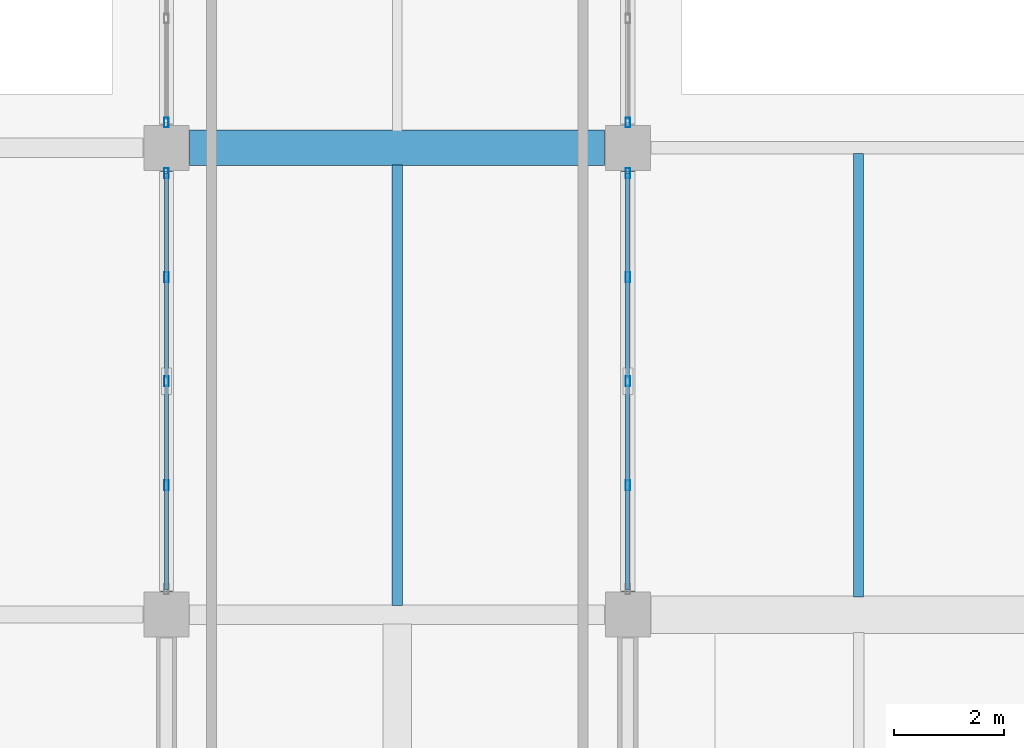
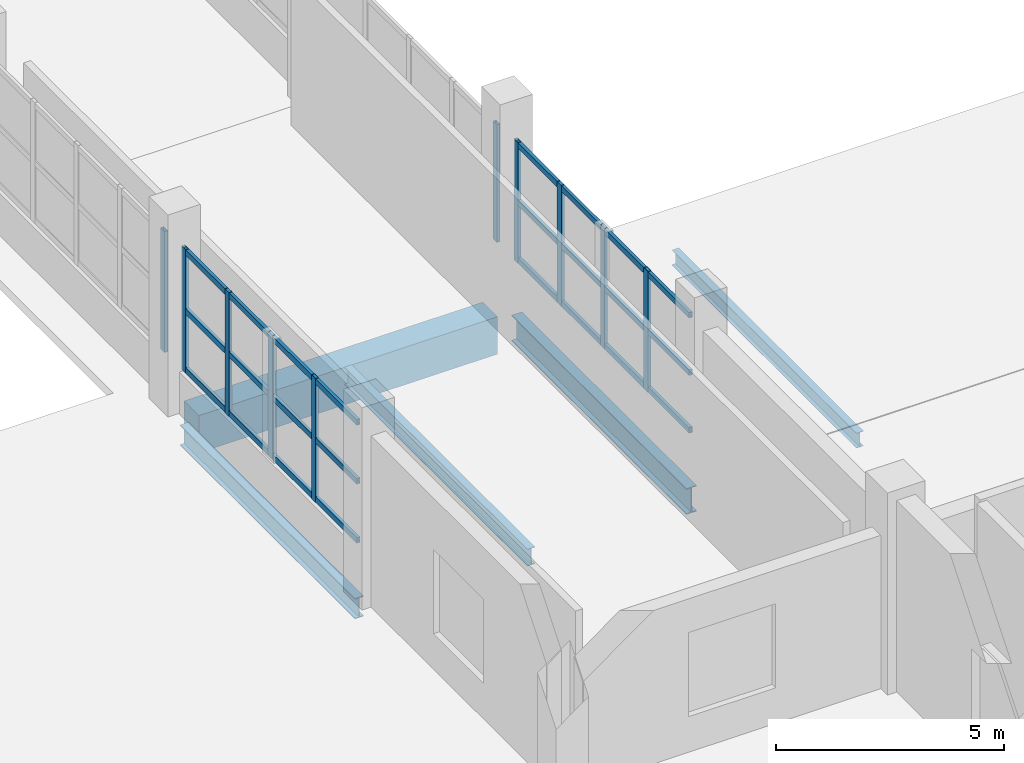
# One storey, part 38 of 107: 16 members, 5 beams, 4 elements without a shape of their own.
"""IFC4 building model written with IfcOpenShell, lengths in metres."""

from ifc_helpers import new_model, si_unit, direction, frame, origin, origin_2d, place, context, subcontext, project, spatial, rectangle, hollow_rectangle, i_section, extrude, material, material_profile, profile_set, type_object, element, aggregate, save


model = new_model("IFC4")

# Units and contexts
model_context = context("Model", 3, precision=1e-05, world=origin(), true_north=direction((0.0, 1.0)))
body_context = subcontext(model_context, "Body", "Model", "MODEL_VIEW")
ifc_project = project(units=[si_unit("LENGTHUNIT", "METRE"), si_unit("AREAUNIT", "SQUARE_METRE"), si_unit("VOLUMEUNIT", "CUBIC_METRE"), si_unit("PLANEANGLEUNIT", "RADIAN"), si_unit("MASSUNIT", "GRAM", prefix="KILO")], contexts=[model_context])

# Site, building, storey
site_placement = place(None, origin())
site = spatial("IfcSite", under=ifc_project, at=site_placement, CompositionType="ELEMENT")
building_placement = place(site_placement, origin())
building = spatial("IfcBuilding", under=site, at=building_placement, Name="Solvento Point Concert Hall", CompositionType="ELEMENT")
storey_placement = place(building_placement, origin())
storey = spatial("IfcBuildingStorey", under=building, at=storey_placement, Name="L00", CompositionType="ELEMENT", Elevation=0.0)

# Beams
ifc_material_1 = material(Name="Structural Steel ASTM A992 Grade 50", Category="steel")
ifc_material_profile_1 = material_profile(ifc_material_1, i_section(OverallWidth=0.214111328125, OverallDepth=0.549072265625, WebThickness=0.0146484375, FlangeThickness=0.023681640625, at=origin_2d()), Name="W21X93")
ifc_profile_set_1 = profile_set([ifc_material_profile_1], Name="Structural Steel ASTM A992 Grade 50")
beam_type_1 = type_object("IfcBeamType", Name="Beam_W21X93", PredefinedType="BEAM", material=ifc_profile_set_1)
beam_1_placement = place(storey_placement, frame((66.0, 102.424072265625, -0.57861328125), z_axis=(0.0, 1.0, 0.0), x_axis=(-1.0, 0.0, 0.0)))
element("IfcBeam", 1, at=beam_1_placement, inside=storey, type_object=beam_type_1, Name="Primary girder B-48 L00", PredefinedType="BEAM", context=body_context, shape_type="SweptSolid", body=[
    extrude(i_section(OverallWidth=0.214111328125, OverallDepth=0.549072265625, WebThickness=0.0146484375, FlangeThickness=0.023681640625, at=origin_2d()), origin(), (0.0, 0.0, 1.0), 7.65185546875),
])
ifc_material_2 = material(Name="Concrete C35/45", Category="concrete")
ifc_material_profile_2 = material_profile(ifc_material_2, rectangle(XDim=0.64990234375, YDim=1.0, at=origin_2d()), Name="RC-BM-650X1000")
ifc_profile_set_2 = profile_set([ifc_material_profile_2], Name="Concrete C35/45")
beam_type_2 = type_object("IfcBeamType", Name="Girder_RC_650x1000", PredefinedType="USERDEFINED", material=ifc_profile_set_2)
beam_2_placement = place(storey_placement, frame((66.424072265625, 110.5, -0.803955078125), z_axis=(1.0, 0.0, 0.0), x_axis=(0.0, 1.0, 0.0)))
element("IfcBeam", 2, at=beam_2_placement, inside=storey, type_object=beam_type_2, Name="Primary girder B-67 L00", ObjectType="GIRDER", PredefinedType="USERDEFINED", context=body_context, shape_type="SweptSolid", body=[
    extrude(rectangle(XDim=0.64990234375, YDim=1.0, at=origin_2d()), origin(), (0.0, 0.0, 1.0), 7.552001953125),
])
ifc_material_3 = material(Name="Structural Steel ASTM A992 Grade 50", Category="steel")
ifc_material_profile_3 = material_profile(ifc_material_3, i_section(OverallWidth=0.256103515625, OverallDepth=0.693115234375, WebThickness=0.014404296875, FlangeThickness=0.023681640625, at=origin_2d()), Name="W27X114")
ifc_profile_set_3 = profile_set([ifc_material_profile_3], Name="Structural Steel ASTM A992 Grade 50")
beam_type_3 = type_object("IfcBeamType", Name="Girder_W27X114", PredefinedType="USERDEFINED", material=ifc_profile_set_3)
beam_3_placement = place(storey_placement, frame((74.39990234375, 102.424072265625, -0.650390625), z_axis=(0.0, 1.0, 0.0), x_axis=(-1.0, 0.0, 0.0)))
element("IfcBeam", 3, at=beam_3_placement, inside=storey, type_object=beam_type_3, Name="Primary girder B-23 L00", ObjectType="GIRDER", PredefinedType="USERDEFINED", context=body_context, shape_type="SweptSolid", body=[
    extrude(i_section(OverallWidth=0.256103515625, OverallDepth=0.693115234375, WebThickness=0.014404296875, FlangeThickness=0.023681640625, at=origin_2d()), origin(), (0.0, 0.0, 1.0), 7.65185546875),
])
ifc_material_4 = material(Name="Structural Steel ASTM A992 Grade 50", Category="steel")
ifc_material_profile_4 = material_profile(ifc_material_4, i_section(OverallWidth=0.177490234375, OverallDepth=0.403076171875, WebThickness=0.007568359375, FlangeThickness=0.010986328125, at=origin_2d()), Name="W16X36")
ifc_profile_set_4 = profile_set([ifc_material_profile_4], Name="Structural Steel ASTM A992 Grade 50")
beam_type_4 = type_object("IfcBeamType", Name="Joist_W16X36", PredefinedType="JOIST", material=ifc_profile_set_4)
beam_4_placement = place(storey_placement, frame((78.60009765625, 102.324951171875, -0.445556640625), z_axis=(0.0, 1.0, 0.0), x_axis=(-1.0, 0.0, 0.0)))
element("IfcBeam", 4, at=beam_4_placement, inside=storey, type_object=beam_type_4, Name="Secondary floor joist B-30 L00", PredefinedType="JOIST", context=body_context, shape_type="SweptSolid", body=[
    extrude(i_section(OverallWidth=0.177490234375, OverallDepth=0.403076171875, WebThickness=0.007568359375, FlangeThickness=0.010986328125, at=origin_2d()), origin(), (0.0, 0.0, 1.0), 8.075927734375),
])
ifc_material_5 = material(Name="Structural Steel ASTM A992 Grade 50", Category="steel")
ifc_material_profile_5 = material_profile(ifc_material_5, i_section(OverallWidth=0.1904296875, OverallDepth=0.45703125, WebThickness=0.009033203125, FlangeThickness=0.014404296875, at=origin_2d()), Name="W18X50")
ifc_profile_set_5 = profile_set([ifc_material_profile_5], Name="Structural Steel ASTM A992 Grade 50")
beam_type_5 = type_object("IfcBeamType", Name="Joist_W18X50", PredefinedType="JOIST", material=ifc_profile_set_5)
beam_5_placement = place(storey_placement, frame((70.199951171875, 102.16552734375, -0.532470703125), z_axis=(0.0, 1.0, 0.0), x_axis=(-1.0, 0.0, 0.0)))
element("IfcBeam", 5, at=beam_5_placement, inside=storey, type_object=beam_type_5, Name="Secondary floor joist B-66 L00", PredefinedType="JOIST", context=body_context, shape_type="SweptSolid", body=[
    extrude(i_section(OverallWidth=0.1904296875, OverallDepth=0.45703125, WebThickness=0.009033203125, FlangeThickness=0.014404296875, at=origin_2d()), origin(), (0.0, 0.0, 1.0), 8.0244140625),
])

# Curtain wall, members
ifc_material_6 = material(Name="Anodized Bronze Aluminium", Category="aluminium")
curtain_wall_type = type_object("IfcCurtainWallType", Name="CurtainWall_CourtPilotis", PredefinedType="USERDEFINED", material=ifc_material_6)
curtain_wall_1_placement = place(storey_placement, origin())
curtain_wall_1 = element("IfcCurtainWall", 6, at=curtain_wall_1_placement, inside=storey, type_object=curtain_wall_type, Name="Unitised curtain wall CW-96 UCW-L00-020", ObjectType="UNITISED CURTAIN WALL", PredefinedType="USERDEFINED")
ifc_material_7 = material(Name="Anodized Bronze Aluminium", Category="aluminium")
ifc_material_profile_6 = material_profile(ifc_material_7, hollow_rectangle(XDim=0.080078125, YDim=0.179931640625, WallThickness=0.00390625, at=origin_2d()), Name="CW-MUL-80X180")
ifc_profile_set_6 = profile_set([ifc_material_profile_6], Name="Anodized Bronze Aluminium")
member_type_1 = type_object("IfcMemberType", Name="Mullion_80x180", PredefinedType="MULLION", material=ifc_profile_set_6)
member_1_placement = place(storey_placement, frame((66.0, 104.35498046875, 1.1201171875), z_axis=(0.0, 0.0, 1.0), x_axis=(1.0, 0.0, 0.0)))
member_1 = element("IfcMember", 7, at=member_1_placement, type_object=member_type_1, Name="Curtain wall mullion ML-01", PredefinedType="MULLION", context=body_context, shape_type="SweptSolid", body=[
    extrude(hollow_rectangle(XDim=0.080078125, YDim=0.179931640625, WallThickness=0.00390625, at=origin_2d()), origin(), (0.0, 0.0, 1.0), 3.310791015625),
])
member_2_placement = place(storey_placement, frame((66.0, 106.25, 1.1201171875), z_axis=(0.0, 0.0, 1.0), x_axis=(1.0, 0.0, 0.0)))
member_2 = element("IfcMember", 8, at=member_2_placement, type_object=member_type_1, Name="Curtain wall mullion ML-01", PredefinedType="MULLION", context=body_context, shape_type="SweptSolid", body=[
    extrude(hollow_rectangle(XDim=0.080078125, YDim=0.179931640625, WallThickness=0.00390625, at=origin_2d()), origin(), (0.0, 0.0, 1.0), 3.310791015625),
])
member_3_placement = place(storey_placement, frame((66.0, 108.14501953125, 1.1201171875), z_axis=(0.0, 0.0, 1.0), x_axis=(1.0, 0.0, 0.0)))
member_3 = element("IfcMember", 9, at=member_3_placement, type_object=member_type_1, Name="Curtain wall mullion ML-01", PredefinedType="MULLION", context=body_context, shape_type="SweptSolid", body=[
    extrude(hollow_rectangle(XDim=0.080078125, YDim=0.179931640625, WallThickness=0.00390625, at=origin_2d()), origin(), (0.0, 0.0, 1.0), 3.310791015625),
])
member_4_placement = place(storey_placement, frame((66.0, 110.0400390625, 1.1201171875), z_axis=(0.0, 0.0, 1.0), x_axis=(1.0, 0.0, 0.0)))
member_4 = element("IfcMember", 10, at=member_4_placement, type_object=member_type_1, Name="Curtain wall mullion ML-01", PredefinedType="MULLION", context=body_context, shape_type="SweptSolid", body=[
    extrude(hollow_rectangle(XDim=0.080078125, YDim=0.179931640625, WallThickness=0.00390625, at=origin_2d()), origin(), (0.0, 0.0, 1.0), 3.310791015625),
])

# Curtain wall, member
curtain_wall_2_placement = place(storey_placement, origin())
curtain_wall_2 = element("IfcCurtainWall", 11, at=curtain_wall_2_placement, inside=storey, type_object=curtain_wall_type, Name="Unitised curtain wall CW-96 UCW-L00-021", ObjectType="UNITISED CURTAIN WALL", PredefinedType="USERDEFINED")
member_5_placement = place(storey_placement, frame((66.0, 110.9599609375, 1.1201171875), z_axis=(0.0, 0.0, 1.0), x_axis=(1.0, 0.0, 0.0)))
member_5 = element("IfcMember", 12, at=member_5_placement, type_object=member_type_1, Name="Curtain wall mullion ML-01", PredefinedType="MULLION", context=body_context, shape_type="SweptSolid", body=[
    extrude(hollow_rectangle(XDim=0.080078125, YDim=0.179931640625, WallThickness=0.00390625, at=origin_2d()), origin(), (0.0, 0.0, 1.0), 3.23388671875),
])
aggregate(curtain_wall_2, [member_5])

# Curtain wall, members
curtain_wall_3_placement = place(storey_placement, origin())
curtain_wall_3 = element("IfcCurtainWall", 13, at=curtain_wall_3_placement, inside=storey, type_object=curtain_wall_type, Name="Unitised curtain wall CW-96 UCW-L00-034", ObjectType="UNITISED CURTAIN WALL", PredefinedType="USERDEFINED")
member_6_placement = place(storey_placement, frame((74.39990234375, 104.35498046875, 1.1201171875), z_axis=(0.0, 0.0, 1.0), x_axis=(1.0, 0.0, 0.0)))
member_6 = element("IfcMember", 14, at=member_6_placement, type_object=member_type_1, Name="Curtain wall mullion ML-01", PredefinedType="MULLION", context=body_context, shape_type="SweptSolid", body=[
    extrude(hollow_rectangle(XDim=0.080078125, YDim=0.179931640625, WallThickness=0.00390625, at=origin_2d()), origin(), (0.0, 0.0, 1.0), 3.23388671875),
])
member_7_placement = place(storey_placement, frame((74.39990234375, 106.25, 1.1201171875), z_axis=(0.0, 0.0, 1.0), x_axis=(1.0, 0.0, 0.0)))
member_7 = element("IfcMember", 15, at=member_7_placement, type_object=member_type_1, Name="Curtain wall mullion ML-01", PredefinedType="MULLION", context=body_context, shape_type="SweptSolid", body=[
    extrude(hollow_rectangle(XDim=0.080078125, YDim=0.179931640625, WallThickness=0.00390625, at=origin_2d()), origin(), (0.0, 0.0, 1.0), 3.23388671875),
])
member_8_placement = place(storey_placement, frame((74.39990234375, 108.14501953125, 1.1201171875), z_axis=(0.0, 0.0, 1.0), x_axis=(1.0, 0.0, 0.0)))
member_8 = element("IfcMember", 16, at=member_8_placement, type_object=member_type_1, Name="Curtain wall mullion ML-01", PredefinedType="MULLION", context=body_context, shape_type="SweptSolid", body=[
    extrude(hollow_rectangle(XDim=0.080078125, YDim=0.179931640625, WallThickness=0.00390625, at=origin_2d()), origin(), (0.0, 0.0, 1.0), 3.23388671875),
])
member_9_placement = place(storey_placement, frame((74.39990234375, 110.0400390625, 1.1201171875), z_axis=(0.0, 0.0, 1.0), x_axis=(1.0, 0.0, 0.0)))
member_9 = element("IfcMember", 17, at=member_9_placement, type_object=member_type_1, Name="Curtain wall mullion ML-01", PredefinedType="MULLION", context=body_context, shape_type="SweptSolid", body=[
    extrude(hollow_rectangle(XDim=0.080078125, YDim=0.179931640625, WallThickness=0.00390625, at=origin_2d()), origin(), (0.0, 0.0, 1.0), 3.23388671875),
])

# Curtain wall, member
curtain_wall_4_placement = place(storey_placement, origin())
curtain_wall_4 = element("IfcCurtainWall", 18, at=curtain_wall_4_placement, inside=storey, type_object=curtain_wall_type, Name="Unitised curtain wall CW-96 UCW-L00-035", ObjectType="UNITISED CURTAIN WALL", PredefinedType="USERDEFINED")
member_10_placement = place(storey_placement, frame((74.39990234375, 110.9599609375, 1.1201171875), z_axis=(0.0, 0.0, 1.0), x_axis=(1.0, 0.0, 0.0)))
member_10 = element("IfcMember", 19, at=member_10_placement, type_object=member_type_1, Name="Curtain wall mullion ML-01", PredefinedType="MULLION", context=body_context, shape_type="SweptSolid", body=[
    extrude(hollow_rectangle(XDim=0.080078125, YDim=0.179931640625, WallThickness=0.00390625, at=origin_2d()), origin(), (0.0, 0.0, 1.0), 3.144775390625),
])
aggregate(curtain_wall_4, [member_10])

# Member
ifc_material_8 = material(Name="Anodized Bronze Aluminium", Category="aluminium")
ifc_material_profile_7 = material_profile(ifc_material_8, hollow_rectangle(XDim=0.080078125, YDim=0.14990234375, WallThickness=0.00390625, at=origin_2d()), Name="CW-TRN-80X150")
ifc_profile_set_7 = profile_set([ifc_material_profile_7], Name="Anodized Bronze Aluminium")
member_type_2 = type_object("IfcMemberType", Name="Transom_80x150", PredefinedType="USERDEFINED", material=ifc_profile_set_7)
member_11_placement = place(storey_placement, frame((66.0, 102.4599609375, 1.199951171875), z_axis=(0.0, 1.0, 0.0), x_axis=(-1.0, 0.0, 0.0)))
member_11 = element("IfcMember", 20, at=member_11_placement, type_object=member_type_2, Name="Curtain wall transom TR-01", ObjectType="TRANSOM", PredefinedType="USERDEFINED", context=body_context, shape_type="SweptSolid", body=[
    extrude(hollow_rectangle(XDim=0.080078125, YDim=0.14990234375, WallThickness=0.00390625, at=origin_2d()), origin(), (0.0, 0.0, 1.0), 7.580078125),
])

member_12_placement = place(storey_placement, frame((66.0, 102.4599609375, 2.775390625), z_axis=(0.0, 1.0, 0.0), x_axis=(-1.0, 0.0, 0.0)))
member_12 = element("IfcMember", 21, at=member_12_placement, type_object=member_type_2, Name="Curtain wall transom TR-01", ObjectType="TRANSOM", PredefinedType="USERDEFINED", context=body_context, shape_type="SweptSolid", body=[
    extrude(hollow_rectangle(XDim=0.080078125, YDim=0.14990234375, WallThickness=0.00390625, at=origin_2d()), origin(), (0.0, 0.0, 1.0), 7.580078125),
])

member_13_placement = place(storey_placement, frame((66.0, 102.4599609375, 4.35107421875), z_axis=(0.0, 1.0, 0.0), x_axis=(-1.0, 0.0, 0.0)))
member_13 = element("IfcMember", 22, at=member_13_placement, type_object=member_type_2, Name="Curtain wall transom TR-01", ObjectType="TRANSOM", PredefinedType="USERDEFINED", context=body_context, shape_type="SweptSolid", body=[
    extrude(hollow_rectangle(XDim=0.080078125, YDim=0.14990234375, WallThickness=0.00390625, at=origin_2d()), origin(), (0.0, 0.0, 1.0), 7.580078125),
])

aggregate(curtain_wall_1, [member_1, member_2, member_3, member_4, member_11, member_12, member_13])

member_14_placement = place(storey_placement, frame((74.39990234375, 102.4599609375, 1.199951171875), z_axis=(0.0, 1.0, 0.0), x_axis=(-1.0, 0.0, 0.0)))
member_14 = element("IfcMember", 23, at=member_14_placement, type_object=member_type_2, Name="Curtain wall transom TR-01", ObjectType="TRANSOM", PredefinedType="USERDEFINED", context=body_context, shape_type="SweptSolid", body=[
    extrude(hollow_rectangle(XDim=0.080078125, YDim=0.14990234375, WallThickness=0.00390625, at=origin_2d()), origin(), (0.0, 0.0, 1.0), 7.580078125),
])

member_15_placement = place(storey_placement, frame((74.39990234375, 102.4599609375, 2.737060546875), z_axis=(0.0, 1.0, 0.0), x_axis=(-1.0, 0.0, 0.0)))
member_15 = element("IfcMember", 24, at=member_15_placement, type_object=member_type_2, Name="Curtain wall transom TR-01", ObjectType="TRANSOM", PredefinedType="USERDEFINED", context=body_context, shape_type="SweptSolid", body=[
    extrude(hollow_rectangle(XDim=0.080078125, YDim=0.14990234375, WallThickness=0.00390625, at=origin_2d()), origin(), (0.0, 0.0, 1.0), 7.580078125),
])

member_16_placement = place(storey_placement, frame((74.39990234375, 102.4599609375, 4.27392578125), z_axis=(0.0, 1.0, 0.0), x_axis=(-1.0, 0.0, 0.0)))
member_16 = element("IfcMember", 25, at=member_16_placement, type_object=member_type_2, Name="Curtain wall transom TR-01", ObjectType="TRANSOM", PredefinedType="USERDEFINED", context=body_context, shape_type="SweptSolid", body=[
    extrude(hollow_rectangle(XDim=0.080078125, YDim=0.14990234375, WallThickness=0.00390625, at=origin_2d()), origin(), (0.0, 0.0, 1.0), 7.580078125),
])

aggregate(curtain_wall_3, [member_6, member_7, member_8, member_9, member_14, member_15, member_16])

save(model, "model.ifc")
